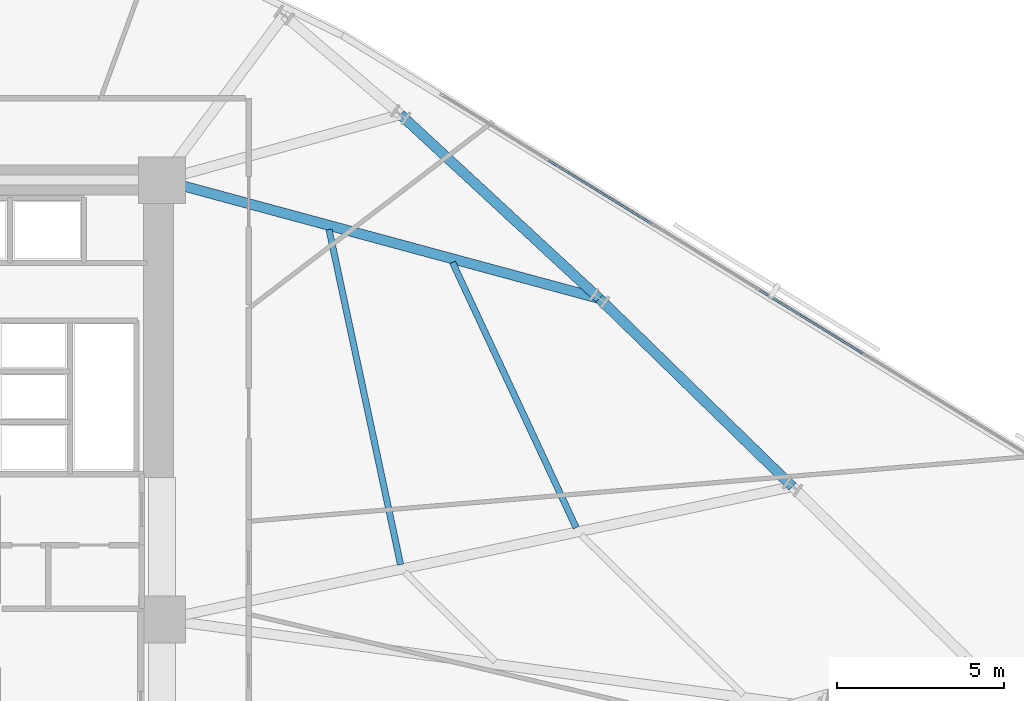
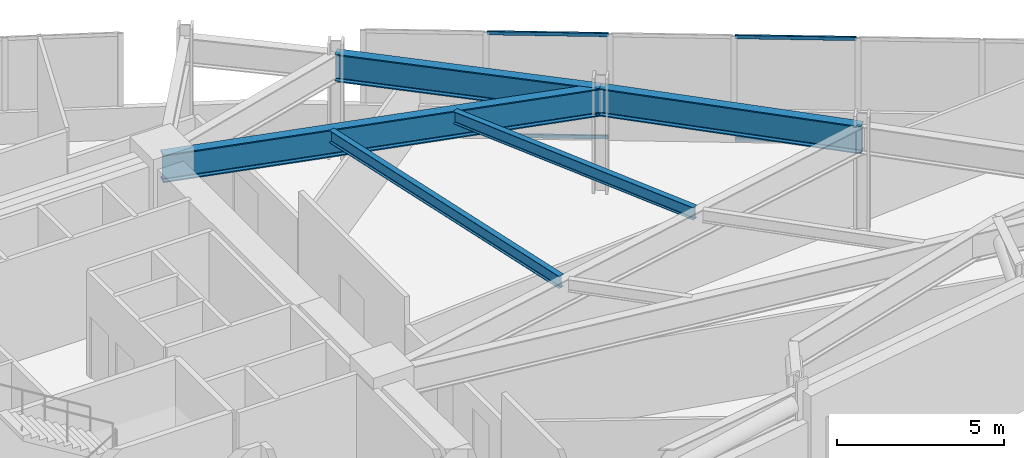
# One storey, part 5 of 19: 5 beams, 4 members, 1 element without a shape of its own.
"""IFC4 building model written with IfcOpenShell, lengths in metres."""

from ifc_helpers import new_model, si_unit, direction, frame, origin, origin_2d, place, context, subcontext, project, spatial, hollow_rectangle, i_section, extrude, material, material_profile, profile_set, type_object, element, aggregate, save


model = new_model("IFC4")

# Units and contexts
model_context = context("Model", 3, precision=1e-05, world=origin(), true_north=direction((0.0, 1.0)))
body_context = subcontext(model_context, "Body", "Model", "MODEL_VIEW")
ifc_project = project(units=[si_unit("LENGTHUNIT", "METRE"), si_unit("AREAUNIT", "SQUARE_METRE"), si_unit("VOLUMEUNIT", "CUBIC_METRE"), si_unit("PLANEANGLEUNIT", "RADIAN"), si_unit("MASSUNIT", "GRAM", prefix="KILO")], contexts=[model_context])

# Site, building, storey
site_placement = place(None, origin())
site = spatial("IfcSite", under=ifc_project, at=site_placement, CompositionType="ELEMENT")
building_placement = place(site_placement, origin())
building = spatial("IfcBuilding", under=site, at=building_placement, Name="Narakoshi Arena Tower", CompositionType="ELEMENT")
storey_placement = place(building_placement, frame((0.0, 0.0, 128.10009765625)))
storey = spatial("IfcBuildingStorey", under=building, at=storey_placement, Name="L34", CompositionType="ELEMENT", Elevation=128.10009765625)

# Beams
ifc_material_1 = material(Name="Structural steel S355J2", Category="steel")
ifc_material_profile_1 = material_profile(ifc_material_1, i_section(OverallWidth=0.18994140625, OverallDepth=0.449951171875, WebThickness=0.009521484375, FlangeThickness=0.0146484375, FilletRadius=0.02099609375, at=origin_2d()), Name="IPE450")
ifc_profile_set_1 = profile_set([ifc_material_profile_1], Name="Structural steel S355J2")
beam_type_1 = type_object("IfcBeamType", Name="BM-SEC-450", PredefinedType="JOIST", material=ifc_profile_set_1)
beam_1_placement = place(storey_placement, frame((92.692626953125, 44.99462890625, 3.574951171875), z_axis=(-0.208678554526, 0.977984284578, 0.0), x_axis=(-0.977984284578, -0.208678554526, 0.0)))
element("IfcBeam", 1, at=beam_1_placement, inside=storey, type_object=beam_type_1, Name="L34 Composite Secondary Floor Joist 03", PredefinedType="JOIST", context=body_context, shape_type="SweptSolid", body=[
    extrude(i_section(OverallWidth=0.18994140625, OverallDepth=0.449951171875, WebThickness=0.009521484375, FlangeThickness=0.0146484375, FilletRadius=0.02099609375, at=origin_2d()), origin(), (0.0, 0.0, 1.0), 10.25341796875),
])
beam_2_placement = place(storey_placement, frame((97.947509765625, 46.099609375, 3.574951171875), z_axis=(-0.422374306876, 0.906421505091, 0.0), x_axis=(-0.906421505091, -0.422374306876, 0.0)))
element("IfcBeam", 2, at=beam_2_placement, inside=storey, type_object=beam_type_1, Name="L34 Composite Secondary Floor Joist 04", PredefinedType="JOIST", context=body_context, shape_type="SweptSolid", body=[
    extrude(i_section(OverallWidth=0.18994140625, OverallDepth=0.449951171875, WebThickness=0.009521484375, FlangeThickness=0.0146484375, FilletRadius=0.02099609375, at=origin_2d()), origin(), (0.0, 0.0, 1.0), 8.760498046875),
])
ifc_material_2 = material(Name="Structural steel S460ML", Category="steel")
ifc_material_profile_2 = material_profile(ifc_material_2, i_section(OverallWidth=0.302001953125, OverallDepth=1.008056640625, WebThickness=0.02099609375, FlangeThickness=0.0400390625, FilletRadius=0.030029296875, at=origin_2d()), Name="HE1000M")
ifc_profile_set_2 = profile_set([ifc_material_profile_2], Name="Structural steel S460ML")
beam_type_2 = type_object("IfcBeamType", Name="BM-XFER-1000", PredefinedType="BEAM", material=ifc_profile_set_2)
beam_3_placement = place(storey_placement, frame((104.42041015625, 47.33056640625, 3.2958984375), z_axis=(-0.71641187053, 0.697677598726, 0.0), x_axis=(-0.697677598726, -0.71641187053, 0.0)))
element("IfcBeam", 3, at=beam_3_placement, inside=storey, type_object=beam_type_2, Name="L34 Perimeter Transfer Ring Girder 05", PredefinedType="BEAM", context=body_context, shape_type="SweptSolid", body=[
    extrude(i_section(OverallWidth=0.302001953125, OverallDepth=1.008056640625, WebThickness=0.02099609375, FlangeThickness=0.0400390625, FilletRadius=0.030029296875, at=origin_2d()), origin(), (0.0, 0.0, 1.0), 8.066650390625),
])
beam_4_placement = place(storey_placement, frame((98.641357421875, 52.95849609375, 3.2958984375), z_axis=(-0.734140347065, 0.678997754643, 0.0), x_axis=(-0.678997754643, -0.734140347065, 0.0)))
element("IfcBeam", 4, at=beam_4_placement, inside=storey, type_object=beam_type_2, Name="L34 Perimeter Transfer Ring Girder 06", PredefinedType="BEAM", context=body_context, shape_type="SweptSolid", body=[
    extrude(i_section(OverallWidth=0.302001953125, OverallDepth=1.008056640625, WebThickness=0.02099609375, FlangeThickness=0.0400390625, FilletRadius=0.030029296875, at=origin_2d()), origin(), (0.0, 0.0, 1.0), 8.106689453125),
])
beam_5_placement = place(storey_placement, frame((85.550048828125, 56.5, 3.2958984375), z_axis=(0.965301848216, -0.261136634408, 0.0), x_axis=(0.261136634408, 0.965301848216, 0.0)))
element("IfcBeam", 5, at=beam_5_placement, inside=storey, type_object=beam_type_2, Name="L34 Radial Primary Floor Girder 06", PredefinedType="BEAM", context=body_context, shape_type="SweptSolid", body=[
    extrude(i_section(OverallWidth=0.302001953125, OverallDepth=1.008056640625, WebThickness=0.02099609375, FlangeThickness=0.0400390625, FilletRadius=0.030029296875, at=origin_2d()), origin(), (0.0, 0.0, 1.0), 13.561767578125),
])

# Curtain wall, members
ifc_material_3 = material(Name="Anodised bronze aluminium 6063-T6", Category="aluminium")
curtain_wall_type = type_object("IfcCurtainWallType", Name="CW-HYP-LOW", PredefinedType="NOTDEFINED", material=ifc_material_3)
curtain_wall_placement = place(storey_placement, origin())
curtain_wall = element("IfcCurtainWall", 6, at=curtain_wall_placement, inside=storey, type_object=curtain_wall_type, Name="L34 Folded Hypotenuse Curtain Wall 1-1", PredefinedType="NOTDEFINED")
ifc_material_profile_3 = material_profile(ifc_material_3, hollow_rectangle(XDim=0.06494140625, YDim=0.1298828125, WallThickness=0.00390625, OuterFilletRadius=0.0048828125, at=origin_2d()), Name="TRN130x65x4")
ifc_profile_set_3 = profile_set([ifc_material_profile_3], Name="Anodised bronze aluminium 6063-T6")
member_type = type_object("IfcMemberType", Name="MEM-TRN-130", PredefinedType="USERDEFINED", material=ifc_profile_set_3)
member_1_placement = place(storey_placement, frame((106.527099609375, 51.30908203125, 0.032470703125), z_axis=(-0.852114955894, 0.523354661717, 0.0), x_axis=(-0.523354661717, -0.852114955894, 0.0)))
member_1 = element("IfcMember", 7, at=member_1_placement, type_object=member_type, Name="CW-01 transom 5.1", ObjectType="TRANSOM", PredefinedType="USERDEFINED", context=body_context, shape_type="SweptSolid", body=[
    extrude(hollow_rectangle(XDim=0.06494140625, YDim=0.1298828125, WallThickness=0.00390625, OuterFilletRadius=0.0048828125, at=origin_2d()), origin(), (0.0, 0.0, 1.0), 3.632080078125),
])
member_2_placement = place(storey_placement, frame((106.527099609375, 51.30908203125, 3.767333984375), z_axis=(-0.852114955894, 0.523354661717, 0.0), x_axis=(-0.523354661717, -0.852114955894, 0.0)))
member_2 = element("IfcMember", 8, at=member_2_placement, type_object=member_type, Name="CW-01 transom 5.2", ObjectType="TRANSOM", PredefinedType="USERDEFINED", context=body_context, shape_type="SweptSolid", body=[
    extrude(hollow_rectangle(XDim=0.06494140625, YDim=0.1298828125, WallThickness=0.00390625, OuterFilletRadius=0.0048828125, at=origin_2d()), origin(), (0.0, 0.0, 1.0), 3.632080078125),
])
member_3_placement = place(storey_placement, frame((100.20947265625, 55.189453125, 0.032470703125), z_axis=(-0.852114955894, 0.523354661717, 0.0), x_axis=(-0.523354661717, -0.852114955894, 0.0)))
member_3 = element("IfcMember", 9, at=member_3_placement, type_object=member_type, Name="CW-01 transom 7.1", ObjectType="TRANSOM", PredefinedType="USERDEFINED", context=body_context, shape_type="SweptSolid", body=[
    extrude(hollow_rectangle(XDim=0.06494140625, YDim=0.1298828125, WallThickness=0.00390625, OuterFilletRadius=0.0048828125, at=origin_2d()), origin(), (0.0, 0.0, 1.0), 3.632080078125),
])
member_4_placement = place(storey_placement, frame((100.20947265625, 55.189453125, 3.767333984375), z_axis=(-0.852114955894, 0.523354661717, 0.0), x_axis=(-0.523354661717, -0.852114955894, 0.0)))
member_4 = element("IfcMember", 10, at=member_4_placement, type_object=member_type, Name="CW-01 transom 7.2", ObjectType="TRANSOM", PredefinedType="USERDEFINED", context=body_context, shape_type="SweptSolid", body=[
    extrude(hollow_rectangle(XDim=0.06494140625, YDim=0.1298828125, WallThickness=0.00390625, OuterFilletRadius=0.0048828125, at=origin_2d()), origin(), (0.0, 0.0, 1.0), 3.632080078125),
])
aggregate(curtain_wall, [member_1, member_2, member_3, member_4])

save(model, "model.ifc")
